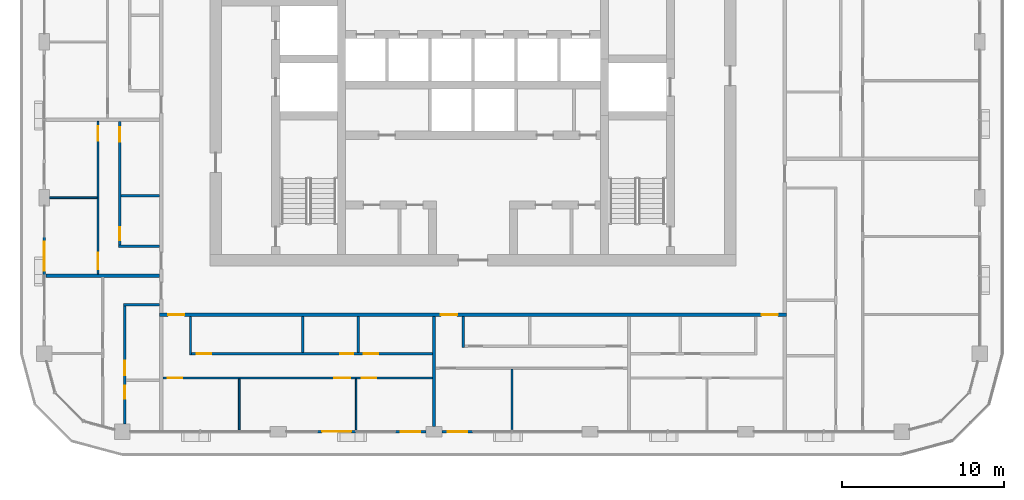
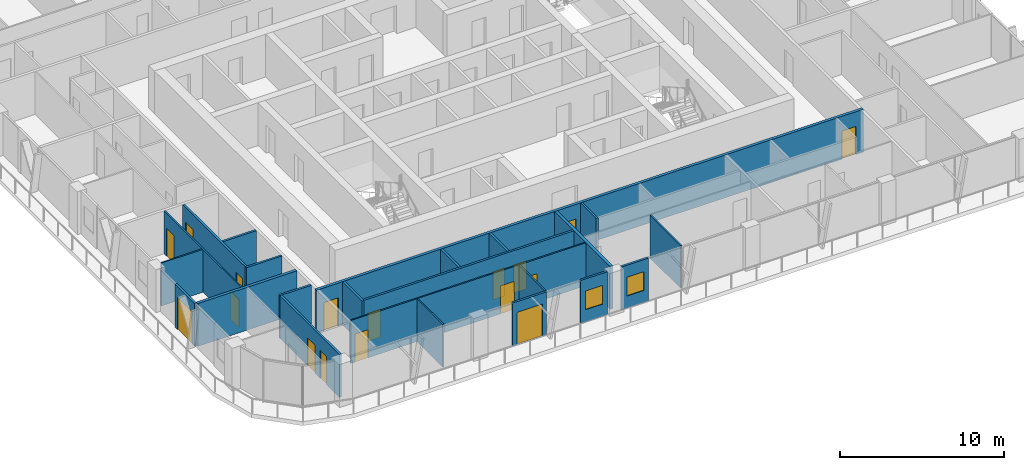
# One storey, part 9 of 23: 23 walls, 17 doors, 2 windows, 19 openings.
"""IFC4 building model written with IfcOpenShell, lengths in metres."""

import ifcopenshell
import ifcopenshell.guid

model = None  # the IFC model being written
_history = None  # IfcOwnerHistory: only IFC2X3 demands one
_inside = {}  # id of a spatial element -> (the spatial element, [elements in it])
_under = {}  # id of a project, library or spatial element -> (it, [spatial elements below it])
_declared = {}  # id of a project -> (the project, [libraries it declares])
_typed = {}  # id of a type object -> (the type object, [elements of that type])
_made_of = {}  # id of a material, layer set ... -> (it, [elements and type objects made of it])


def new_model(schema):
    """Start an empty IFC model of exactly this schema.

    Asked for "IFC4X3", IfcOpenShell would pick the latest addendum, in which some entities
    have other attributes; the version numbers below select the first issue.
    IFC2X3 requires an IfcOwnerHistory on every rooted entity: one is made here for all.
    """
    global model, _history
    if schema == "IFC4X3":
        model = ifcopenshell.file(schema_version=(4, 3, 0, 0))
    else:
        model = ifcopenshell.file(schema=schema)
    _inside.clear()
    _under.clear()
    _declared.clear()
    _typed.clear()
    _made_of.clear()
    _history = None
    if model.schema == "IFC2X3":
        org = make("IfcOrganization", Name="unknown")
        user = make(
            "IfcPersonAndOrganization",
            ThePerson=make("IfcPerson", FamilyName="unknown"),
            TheOrganization=org,
        )
        app = make(
            "IfcApplication",
            ApplicationDeveloper=org,
            Version="unknown",
            ApplicationFullName="unknown",
            ApplicationIdentifier="unknown",
        )
        _history = make(
            "IfcOwnerHistory",
            OwningUser=user,
            OwningApplication=app,
            ChangeAction="ADDED",
            CreationDate=0,
        )
    return model


def make(cls, **values):
    """One entity of the class cls with the attributes given. An attribute that is None is left unset."""
    return model.create_entity(
        cls, **{name: value for name, value in values.items() if value is not None}
    )


def rooted(cls, **values):
    """An entity with a GlobalId (a new one), such as an element, a storey or a relation."""
    return make(cls, GlobalId=ifcopenshell.guid.new(), OwnerHistory=_history, **values)


def si_unit(unit_type, name, prefix=None):
    """IfcSIUnit, for example si_unit("LENGTHUNIT", "METRE", prefix="MILLI")."""
    return make("IfcSIUnit", UnitType=unit_type, Prefix=prefix, Name=name)


def assignment(units):
    """IfcUnitAssignment: the units of a project."""
    return None if units is None else make("IfcUnitAssignment", Units=units)


def point(xyz):
    """IfcCartesianPoint."""
    return None if xyz is None else make("IfcCartesianPoint", Coordinates=xyz)


def direction(xyz):
    """IfcDirection."""
    return None if xyz is None else make("IfcDirection", DirectionRatios=xyz)


def frame(location, z_axis=None, x_axis=None):
    """IfcAxis2Placement3D, a coordinate frame: its origin and axes. An axis left out is left unset."""
    return make(
        "IfcAxis2Placement3D",
        Location=point(location),
        Axis=direction(z_axis),
        RefDirection=direction(x_axis),
    )


def frame_2d(location, x_axis=None):
    """IfcAxis2Placement2D, a coordinate frame in the plane: its origin and x axis."""
    return make(
        "IfcAxis2Placement2D", Location=point(location), RefDirection=direction(x_axis)
    )


def origin():
    """The frame at (0, 0, 0) with its axes left unset."""
    return frame((0.0, 0.0, 0.0))


def place(relative_to, where):
    """IfcLocalPlacement: puts the frame where relative to a parent placement (None: the world)."""
    return make(
        "IfcLocalPlacement", PlacementRelTo=relative_to, RelativePlacement=where
    )


def context(
    kind, dimensions, precision=None, world=None, true_north=None, identifier=None
):
    """IfcGeometricRepresentationContext, for example the 3D "Model" context."""
    return make(
        "IfcGeometricRepresentationContext",
        ContextIdentifier=identifier,
        ContextType=kind,
        CoordinateSpaceDimension=dimensions,
        Precision=precision,
        WorldCoordinateSystem=world,
        TrueNorth=true_north,
    )


def subcontext(parent, identifier, kind, view, scale=None):
    """IfcGeometricRepresentationSubContext, for example "Body" below "Model"."""
    return make(
        "IfcGeometricRepresentationSubContext",
        ContextIdentifier=identifier,
        ContextType=kind,
        ParentContext=parent,
        TargetScale=scale,
        TargetView=view,
    )


def project(units=None, contexts=None):
    """IfcProject with its units and contexts."""
    return rooted(
        "IfcProject",
        Name="project",
        RepresentationContexts=contexts,
        UnitsInContext=assignment(units),
    )


def spatial(cls, under=None, at=None, **own):
    """A site, building, storey or space (cls), placed at a placement, below another one or the project."""
    s = rooted(cls, ObjectPlacement=at, **own)
    if under is not None:
        _under.setdefault(under.id(), (under, []))[1].append(s)
    return s


def profile(cls, at=None, kind="AREA", **sizes):
    """A parametric profile (cls). Its sizes go by their IFC names, for example OverallWidth=200.0."""
    return make(cls, ProfileType=kind, Position=at, **sizes)


def rectangle(**sizes):
    """IfcRectangleProfileDef."""
    return profile("IfcRectangleProfileDef", **sizes)


def extrude(swept, where, along, depth):
    """IfcExtrudedAreaSolid: the profile swept, set in the frame where, extruded along a direction by depth."""
    return make(
        "IfcExtrudedAreaSolid",
        SweptArea=swept,
        Position=where,
        ExtrudedDirection=direction(along),
        Depth=depth,
    )


def shape(context_of_items, identifier, shape_type, items):
    """IfcShapeRepresentation: the items that make up one representation, for example the "Body"."""
    return make(
        "IfcShapeRepresentation",
        ContextOfItems=context_of_items,
        RepresentationIdentifier=identifier,
        RepresentationType=shape_type,
        Items=items,
    )


def material(Name=None, Category=None):
    """IfcMaterial."""
    return make("IfcMaterial", Name=Name, Category=Category)


def layer(
    of_material, thickness, ventilated=None, Name=None, Category=None, Priority=None
):
    """IfcMaterialLayer: one layer of a wall or slab, of a material (None: an air gap)."""
    return make(
        "IfcMaterialLayer",
        Material=of_material,
        LayerThickness=thickness,
        IsVentilated=ventilated,
        Name=Name,
        Category=Category,
        Priority=Priority,
    )


def layer_set(layers, Name=None):
    """IfcMaterialLayerSet."""
    return make("IfcMaterialLayerSet", MaterialLayers=layers, LayerSetName=Name)


def made_of(thing, what):
    """Note that an element or type object is made of a material, layer set ...; save() writes the relation."""
    if what is not None:
        _made_of.setdefault(what.id(), (what, []))[1].append(thing)
    return thing


def type_object(cls, material=None, **own):
    """A type object (cls), such as IfcWallType, which elements share."""
    return made_of(rooted(cls, **own), material)


def element(
    cls,
    number,
    at=None,
    inside=None,
    cuts=None,
    type_object=None,
    material=None,
    context=None,
    identifier="Body",
    shape_type=None,
    held_by="IfcProductDefinitionShape",
    body=None,
    shapes=None,
    **own,
):
    """One element of the class cls, such as IfcWall. Its Tag is "e" and its number.

    at: its placement. inside: the storey or other place that contains it. cuts: it is an
    opening in that element (IfcRelVoidsElement). A single representation is given by context,
    identifier, shape_type and body (its items); several are given by shapes. held_by: the class
    of the entity that holds the representations. save() writes the other relations.
    """
    e = rooted(cls, Tag="e%d" % number, ObjectPlacement=at, **own)
    if body is not None:
        shapes = [shape(context, identifier, shape_type, body)]
    if shapes is not None:
        e.Representation = make(held_by, Representations=shapes)
    if inside is not None:
        _inside.setdefault(inside.id(), (inside, []))[1].append(e)
    if cuts is not None:
        rooted(
            "IfcRelVoidsElement", RelatingBuildingElement=cuts, RelatedOpeningElement=e
        )
    if type_object is not None:
        _typed.setdefault(type_object.id(), (type_object, []))[1].append(e)
    return made_of(e, material)


def fill(opening, filler):
    """IfcRelFillsElement: the door or window that sits in an opening."""
    return rooted(
        "IfcRelFillsElement",
        RelatingOpeningElement=opening,
        RelatedBuildingElement=filler,
    )


def aggregate(whole, parts):
    """IfcRelAggregates: a whole, such as a stair, and the parts it consists of."""
    return rooted("IfcRelAggregates", RelatingObject=whole, RelatedObjects=parts)


def save(model, path):
    """Write the relations noted so far, then the file.

    IfcRelAggregates (storeys below a building ...), IfcRelContainedInSpatialStructure (elements
    in a storey), IfcRelDefinesByType, IfcRelAssociatesMaterial and IfcRelDeclares: one each for
    every whole, place, type object, material and project.
    """
    for whole, parts in _under.values():
        aggregate(whole, parts)
    for where, things in _inside.values():
        rooted(
            "IfcRelContainedInSpatialStructure",
            RelatedElements=things,
            RelatingStructure=where,
        )
    for kind, things in _typed.values():
        rooted("IfcRelDefinesByType", RelatedObjects=things, RelatingType=kind)
    for what, things in _made_of.values():
        rooted("IfcRelAssociatesMaterial", RelatedObjects=things, RelatingMaterial=what)
    for by, libraries in _declared.values():
        rooted("IfcRelDeclares", RelatingContext=by, RelatedDefinitions=libraries)
    model.write(path)


model = new_model("IFC4")

# Units and contexts
model_context = context("Model", 3, precision=1e-05, world=origin(), true_north=direction((0.0, 1.0)))
body_context = subcontext(model_context, "Body", "Model", "MODEL_VIEW")
ifc_project = project(units=[si_unit("LENGTHUNIT", "METRE"), si_unit("AREAUNIT", "SQUARE_METRE"), si_unit("VOLUMEUNIT", "CUBIC_METRE"), si_unit("PLANEANGLEUNIT", "RADIAN"), si_unit("MASSUNIT", "GRAM", prefix="KILO")], contexts=[model_context])

# Site, building, storey
site_placement = place(None, origin())
site = spatial("IfcSite", under=ifc_project, at=site_placement, CompositionType="ELEMENT")
building_placement = place(site_placement, origin())
building = spatial("IfcBuilding", under=site, at=building_placement, Name="Madar Terraces", CompositionType="ELEMENT")
storey_placement = place(building_placement, frame((0.0, 0.0, 215.800048828125)))
storey = spatial("IfcBuildingStorey", under=building, at=storey_placement, Name="L56", CompositionType="ELEMENT", Elevation=215.800048828125)

# Wall, opening, door
ifc_material_1 = material(Name="Aluminium composite panel, black, over insulated backing", Category="aluminium")
ifc_layer_1 = layer(ifc_material_1, 0.14990234375)
ifc_layer_set_1 = layer_set([ifc_layer_1], Name="Facade bay panel 150")
wall_type_1 = type_object("IfcWallType", Name="Facade bay panel 150", PredefinedType="SOLIDWALL", material=ifc_layer_set_1)
wall_1_placement = place(storey_placement, frame((21.60009765625, 4.800048828125, 0.0), z_axis=(0.0, 0.0, 1.0), x_axis=(1.0, 0.0, 0.0)))
wall_1 = element("IfcWall", 1, at=wall_1_placement, inside=storey, type_object=wall_type_1, Name="Facade bay panel", PredefinedType="SOLIDWALL", context=body_context, shape_type="SweptSolid", body=[
    extrude(rectangle(XDim=2.39990234375, YDim=0.14990234375, at=frame_2d((1.199951171875, 0.0))), origin(), (0.0, 0.0, 1.0), 3.199951171875),
])
opening_1_placement = place(wall_1_placement, frame((0.300048828125, 0.0, 0.0)))
opening_1 = element("IfcOpeningElement", 2, at=opening_1_placement, cuts=wall_1, Name="Opening ED1", PredefinedType="OPENING", context=body_context, shape_type="SweptSolid", body=[
    extrude(rectangle(XDim=1.800048828125, YDim=2.39990234375, at=frame_2d((0.89990234375, 1.199951171875))), frame((0.0, 0.0849609375, 0.0), z_axis=(0.0, -1.0, 0.0), x_axis=(1.0, 0.0, 0.0)), (0.0, 0.0, 1.0), 0.169921875),
])
ifc_material_2 = material(Name="Glass, clear, with black aluminium frame", Category="aluminium")
door_type_1 = type_object("IfcDoorType", Name="Balcony and terrace sliding door 1800 x 2400", OperationType="SLIDING_TO_LEFT", PredefinedType="DOOR", material=ifc_material_2)
door_1_placement = place(opening_1_placement, origin())
door_1 = element("IfcDoor", 3, at=door_1_placement, inside=storey, type_object=door_type_1, Name="Balcony door", OperationType="SLIDING_TO_LEFT", OverallHeight=2.39990234375, OverallWidth=1.800048828125, PredefinedType="DOOR", context=body_context, shape_type="SweptSolid", body=[
    extrude(rectangle(XDim=1.800048828125, YDim=2.39990234375, at=frame_2d((0.89990234375, 1.199951171875))), frame((0.0, 0.02490234375, 0.0), z_axis=(0.0, -1.0, 0.0), x_axis=(1.0, 0.0, 0.0)), (0.0, 0.0, 1.0), 0.050048828125),
])
fill(opening_1, door_1)

# Wall, opening, window
wall_2_placement = place(storey_placement, frame((26.39990234375, 4.800048828125, 0.0), z_axis=(0.0, 0.0, 1.0), x_axis=(1.0, 0.0, 0.0)))
wall_2 = element("IfcWall", 4, at=wall_2_placement, inside=storey, type_object=wall_type_1, Name="Facade bay panel", PredefinedType="SOLIDWALL", context=body_context, shape_type="SweptSolid", body=[
    extrude(rectangle(XDim=1.900146484375, YDim=0.14990234375, at=frame_2d((0.9501953125, 0.0))), origin(), (0.0, 0.0, 1.0), 3.199951171875),
])
opening_2_placement = place(wall_2_placement, frame((0.35009765625, 0.0, 0.89990234375)))
opening_2 = element("IfcOpeningElement", 5, at=opening_2_placement, cuts=wall_2, Name="Opening W1", PredefinedType="OPENING", context=body_context, shape_type="SweptSolid", body=[
    extrude(rectangle(XDim=1.199951171875, YDim=1.39990234375, at=frame_2d((0.60009765625, 0.699951171875))), frame((0.0, 0.0849609375, 0.0), z_axis=(0.0, -1.0, 0.0), x_axis=(1.0, 0.0, 0.0)), (0.0, 0.0, 1.0), 0.169921875),
])
ifc_material_3 = material(Name="Glass, clear, with black aluminium frame", Category="aluminium")
window_type = type_object("IfcWindowType", Name="Vent window 1200 x 1400", PartitioningType="SINGLE_PANEL", PredefinedType="WINDOW", material=ifc_material_3)
window_1_placement = place(opening_2_placement, origin())
window_1 = element("IfcWindow", 6, at=window_1_placement, inside=storey, type_object=window_type, Name="Operable vent window", OverallHeight=1.39990234375, OverallWidth=1.199951171875, PartitioningType="SINGLE_PANEL", PredefinedType="WINDOW", context=body_context, shape_type="SweptSolid", body=[
    extrude(rectangle(XDim=1.199951171875, YDim=1.39990234375, at=frame_2d((0.60009765625, 0.699951171875))), frame((0.0, 0.030029296875, 0.0), z_axis=(0.0, -1.0, 0.0), x_axis=(1.0, 0.0, 0.0)), (0.0, 0.0, 1.0), 0.06005859375),
])
fill(opening_2, window_1)

wall_3_placement = place(storey_placement, frame((29.300048828125, 4.800048828125, 0.0), z_axis=(0.0, 0.0, 1.0), x_axis=(1.0, 0.0, 0.0)))
wall_3 = element("IfcWall", 7, at=wall_3_placement, inside=storey, type_object=wall_type_1, Name="Facade bay panel", PredefinedType="SOLIDWALL", context=body_context, shape_type="SweptSolid", body=[
    extrude(rectangle(XDim=1.89990234375, YDim=0.14990234375, at=frame_2d((0.949951171875, 0.0))), origin(), (0.0, 0.0, 1.0), 3.199951171875),
])
opening_3_placement = place(wall_3_placement, frame((0.35009765625, 0.0, 0.89990234375)))
opening_3 = element("IfcOpeningElement", 8, at=opening_3_placement, cuts=wall_3, Name="Opening W1", PredefinedType="OPENING", context=body_context, shape_type="SweptSolid", body=[
    extrude(rectangle(XDim=1.199951171875, YDim=1.39990234375, at=frame_2d((0.60009765625, 0.699951171875))), frame((0.0, 0.0849609375, 0.0), z_axis=(0.0, -1.0, 0.0), x_axis=(1.0, 0.0, 0.0)), (0.0, 0.0, 1.0), 0.169921875),
])
window_2_placement = place(opening_3_placement, origin())
window_2 = element("IfcWindow", 9, at=window_2_placement, inside=storey, type_object=window_type, Name="Operable vent window", OverallHeight=1.39990234375, OverallWidth=1.199951171875, PartitioningType="SINGLE_PANEL", PredefinedType="WINDOW", context=body_context, shape_type="SweptSolid", body=[
    extrude(rectangle(XDim=1.199951171875, YDim=1.39990234375, at=frame_2d((0.60009765625, 0.699951171875))), frame((0.0, 0.030029296875, 0.0), z_axis=(0.0, -1.0, 0.0), x_axis=(1.0, 0.0, 0.0)), (0.0, 0.0, 1.0), 0.06005859375),
])
fill(opening_3, window_2)

# Wall, opening, door
wall_4_placement = place(storey_placement, frame((4.800048828125, 16.800048828125, 0.0), z_axis=(0.0, 0.0, 1.0), x_axis=(0.0, -1.0, 0.0)))
wall_4 = element("IfcWall", 10, at=wall_4_placement, inside=storey, type_object=wall_type_1, Name="Facade bay panel", PredefinedType="SOLIDWALL", context=body_context, shape_type="SweptSolid", body=[
    extrude(rectangle(XDim=2.400146484375, YDim=0.14990234375, at=frame_2d((1.2001953125, 0.0))), origin(), (0.0, 0.0, 1.0), 3.199951171875),
])
opening_4_placement = place(wall_4_placement, frame((0.300048828125, 0.0, 0.0)))
opening_4 = element("IfcOpeningElement", 11, at=opening_4_placement, cuts=wall_4, Name="Opening ED1", PredefinedType="OPENING", context=body_context, shape_type="SweptSolid", body=[
    extrude(rectangle(XDim=1.800048828125, YDim=2.39990234375, at=frame_2d((0.89990234375, 1.199951171875))), frame((0.0, 0.0849609375, 0.0), z_axis=(0.0, -1.0, 0.0), x_axis=(1.0, 0.0, 0.0)), (0.0, 0.0, 1.0), 0.169921875),
])
door_2_placement = place(opening_4_placement, origin())
door_2 = element("IfcDoor", 12, at=door_2_placement, inside=storey, type_object=door_type_1, Name="Balcony door", OperationType="SLIDING_TO_RIGHT", OverallHeight=2.39990234375, OverallWidth=1.800048828125, PredefinedType="DOOR", context=body_context, shape_type="SweptSolid", body=[
    extrude(rectangle(XDim=1.800048828125, YDim=2.39990234375, at=frame_2d((0.89990234375, 1.199951171875))), frame((0.0, 0.02490234375, 0.0), z_axis=(0.0, -1.0, 0.0), x_axis=(1.0, 0.0, 0.0)), (0.0, 0.0, 1.0), 0.050048828125),
])
fill(opening_4, door_2)

# Walls
ifc_material_4 = material(Name="Gypsum board on steel studs", Category="steel")
ifc_layer_2 = layer(ifc_material_4, 0.10009765625)
ifc_layer_set_2 = layer_set([ifc_layer_2], Name="Flat partition 100")
wall_type_2 = type_object("IfcWallType", Name="Flat partition 100", PredefinedType="PARTITIONING", material=ifc_layer_set_2)
for number, where, z_axis, x_axis, name in (
    (13, (16.800048828125, 8.050048828125, 0.0), (0.0, 0.0, 1.0), (0.0, -1.0, 0.0), "Flat partition 100"),
    (14, (24.0, 8.050048828125, 0.0), (0.0, 0.0, 1.0), (0.0, -1.0, 0.0), "Flat partition 100"),
):
    element("IfcWall", number, at=place(storey_placement, frame(where, z_axis=z_axis, x_axis=x_axis)), inside=storey, type_object=wall_type_2, Name=name, PredefinedType="PARTITIONING", context=body_context, shape_type="SweptSolid", body=[
        extrude(rectangle(XDim=3.150146484375, YDim=0.10009765625, at=frame_2d((1.5751953125, 0.0))), origin(), (0.0, 0.0, 1.0), 3.199951171875),
    ])

# Wall, openings, doors
wall_5_placement = place(storey_placement, frame((28.699951171875, 8.10009765625, 0.0), z_axis=(0.0, 0.0, 1.0), x_axis=(-1.0, 0.0, 0.0)))
wall_5 = element("IfcWall", 15, at=wall_5_placement, inside=storey, type_object=wall_type_2, Name="Flat partition 100", PredefinedType="PARTITIONING", context=body_context, shape_type="SweptSolid", body=[
    extrude(rectangle(XDim=16.599853515625, YDim=0.10009765625, at=frame_2d((8.2998046875, 0.0))), origin(), (0.0, 0.0, 1.0), 3.199951171875),
])
opening_5_placement = place(wall_5_placement, frame((15.39990234375, 0.0, 0.0)))
opening_5 = element("IfcOpeningElement", 16, at=opening_5_placement, cuts=wall_5, Name="Opening D2", PredefinedType="OPENING", context=body_context, shape_type="SweptSolid", body=[
    extrude(rectangle(XDim=0.89990234375, YDim=2.10009765625, at=frame_2d((0.449951171875, 1.050048828125))), frame((0.0, 0.06005859375, 0.0), z_axis=(0.0, -1.0, 0.0), x_axis=(1.0, 0.0, 0.0)), (0.0, 0.0, 1.0), 0.1201171875),
])
opening_6_placement = place(wall_5_placement, frame((5.050048828125, 0.0, 0.0)))
opening_6 = element("IfcOpeningElement", 17, at=opening_6_placement, cuts=wall_5, Name="Opening D3", PredefinedType="OPENING", context=body_context, shape_type="SweptSolid", body=[
    extrude(rectangle(XDim=1.0, YDim=2.10009765625, at=frame_2d((0.5, 1.050048828125))), frame((0.0, 0.06005859375, 0.0), z_axis=(0.0, -1.0, 0.0), x_axis=(1.0, 0.0, 0.0)), (0.0, 0.0, 1.0), 0.1201171875),
])
opening_7_placement = place(wall_5_placement, frame((3.449951171875, 0.0, 0.0)))
opening_7 = element("IfcOpeningElement", 18, at=opening_7_placement, cuts=wall_5, Name="Opening D2", PredefinedType="OPENING", context=body_context, shape_type="SweptSolid", body=[
    extrude(rectangle(XDim=0.89990234375, YDim=2.10009765625, at=frame_2d((0.449951171875, 1.050048828125))), frame((0.0, 0.06005859375, 0.0), z_axis=(0.0, -1.0, 0.0), x_axis=(1.0, 0.0, 0.0)), (0.0, 0.0, 1.0), 0.1201171875),
])
ifc_material_5 = material(Name="Timber door leaf", Category="wood")
door_type_2 = type_object("IfcDoorType", Name="Flat living room door 1000", OperationType="NOTDEFINED", PredefinedType="DOOR", material=ifc_material_5)
door_3_placement = place(opening_6_placement, origin())
door_3 = element("IfcDoor", 19, at=door_3_placement, inside=storey, type_object=door_type_2, Name="Flat living room door 1000", OperationType="SINGLE_SWING_LEFT", OverallHeight=2.10009765625, OverallWidth=1.0, PredefinedType="DOOR", context=body_context, shape_type="SweptSolid", body=[
    extrude(rectangle(XDim=1.0, YDim=2.10009765625, at=frame_2d((0.5, 1.050048828125))), frame((0.0, 0.02490234375, 0.0), z_axis=(0.0, -1.0, 0.0), x_axis=(1.0, 0.0, 0.0)), (0.0, 0.0, 1.0), 0.050048828125),
])
fill(opening_6, door_3)
ifc_material_6 = material(Name="Timber door leaf", Category="wood")
door_type_3 = type_object("IfcDoorType", Name="Flat room door 900", OperationType="NOTDEFINED", PredefinedType="DOOR", material=ifc_material_6)
door_4_placement = place(opening_5_placement, origin())
door_4 = element("IfcDoor", 20, at=door_4_placement, inside=storey, type_object=door_type_3, Name="Flat room door 900", OperationType="SINGLE_SWING_RIGHT", OverallHeight=2.10009765625, OverallWidth=0.89990234375, PredefinedType="DOOR", context=body_context, shape_type="SweptSolid", body=[
    extrude(rectangle(XDim=0.89990234375, YDim=2.10009765625, at=frame_2d((0.449951171875, 1.050048828125))), frame((0.0, 0.02490234375, 0.0), z_axis=(0.0, -1.0, 0.0), x_axis=(1.0, 0.0, 0.0)), (0.0, 0.0, 1.0), 0.050048828125),
])
fill(opening_5, door_4)
door_5_placement = place(opening_7_placement, origin())
door_5 = element("IfcDoor", 21, at=door_5_placement, inside=storey, type_object=door_type_3, Name="Flat room door 900", OperationType="SINGLE_SWING_RIGHT", OverallHeight=2.10009765625, OverallWidth=0.89990234375, PredefinedType="DOOR", context=body_context, shape_type="SweptSolid", body=[
    extrude(rectangle(XDim=0.89990234375, YDim=2.10009765625, at=frame_2d((0.449951171875, 1.050048828125))), frame((0.0, 0.02490234375, 0.0), z_axis=(0.0, -1.0, 0.0), x_axis=(1.0, 0.0, 0.0)), (0.0, 0.0, 1.0), 0.050048828125),
])
fill(opening_7, door_5)

# Walls
wall_6_placement = place(storey_placement, frame((33.60009765625, 8.64990234375, 0.0), z_axis=(0.0, 0.0, 1.0), x_axis=(0.0, -1.0, 0.0)))
element("IfcWall", 22, at=wall_6_placement, inside=storey, type_object=wall_type_2, Name="Flat partition 100", PredefinedType="PARTITIONING", context=body_context, shape_type="SweptSolid", body=[
    extrude(rectangle(XDim=3.75, YDim=0.10009765625, at=frame_2d((1.875, 0.0))), origin(), (0.0, 0.0, 1.0), 3.199951171875),
])
wall_7_placement = place(storey_placement, frame((8.050048828125, 19.199951171875, 0.0), z_axis=(0.0, 0.0, 1.0), x_axis=(-1.0, 0.0, 0.0)))
element("IfcWall", 23, at=wall_7_placement, inside=storey, type_object=wall_type_2, Name="Flat partition 100", PredefinedType="PARTITIONING", context=body_context, shape_type="SweptSolid", body=[
    extrude(rectangle(XDim=2.925048828125, YDim=0.10009765625, at=frame_2d((1.46240234375, 0.0))), origin(), (0.0, 0.0, 1.0), 3.199951171875),
])

# Wall, openings, doors
wall_8_placement = place(storey_placement, frame((8.10009765625, 14.5, 0.0), z_axis=(0.0, 0.0, 1.0), x_axis=(0.0, 1.0, 0.0)))
wall_8 = element("IfcWall", 24, at=wall_8_placement, inside=storey, type_object=wall_type_2, Name="Flat partition 100", PredefinedType="PARTITIONING", context=body_context, shape_type="SweptSolid", body=[
    extrude(rectangle(XDim=9.39990234375, YDim=0.10009765625, at=frame_2d((4.699951171875, 0.0))), origin(), (0.0, 0.0, 1.0), 3.199951171875),
])
opening_8_placement = place(wall_8_placement, frame((0.300048828125, 0.0, 0.0)))
opening_8 = element("IfcOpeningElement", 25, at=opening_8_placement, cuts=wall_8, Name="Opening D3", PredefinedType="OPENING", context=body_context, shape_type="SweptSolid", body=[
    extrude(rectangle(XDim=1.0, YDim=2.10009765625, at=frame_2d((0.5, 1.050048828125))), frame((0.0, 0.06005859375, 0.0), z_axis=(0.0, -1.0, 0.0), x_axis=(1.0, 0.0, 0.0)), (0.0, 0.0, 1.0), 0.1201171875),
])
opening_9_placement = place(wall_8_placement, frame((8.199951171875, 0.0, 0.0)))
opening_9 = element("IfcOpeningElement", 26, at=opening_9_placement, cuts=wall_8, Name="Opening D2", PredefinedType="OPENING", context=body_context, shape_type="SweptSolid", body=[
    extrude(rectangle(XDim=0.89990234375, YDim=2.10009765625, at=frame_2d((0.449951171875, 1.050048828125))), frame((0.0, 0.06005859375, 0.0), z_axis=(0.0, -1.0, 0.0), x_axis=(1.0, 0.0, 0.0)), (0.0, 0.0, 1.0), 0.1201171875),
])
door_6_placement = place(opening_8_placement, origin())
door_6 = element("IfcDoor", 27, at=door_6_placement, inside=storey, type_object=door_type_2, Name="Flat living room door 1000", OperationType="SINGLE_SWING_LEFT", OverallHeight=2.10009765625, OverallWidth=1.0, PredefinedType="DOOR", context=body_context, shape_type="SweptSolid", body=[
    extrude(rectangle(XDim=1.0, YDim=2.10009765625, at=frame_2d((0.5, 1.050048828125))), frame((0.0, 0.02490234375, 0.0), z_axis=(0.0, -1.0, 0.0), x_axis=(1.0, 0.0, 0.0)), (0.0, 0.0, 1.0), 0.050048828125),
])
fill(opening_8, door_6)
door_7_placement = place(opening_9_placement, origin())
door_7 = element("IfcDoor", 28, at=door_7_placement, inside=storey, type_object=door_type_3, Name="Flat room door 900", OperationType="SINGLE_SWING_RIGHT", OverallHeight=2.10009765625, OverallWidth=0.89990234375, PredefinedType="DOOR", context=body_context, shape_type="SweptSolid", body=[
    extrude(rectangle(XDim=0.89990234375, YDim=2.10009765625, at=frame_2d((0.449951171875, 1.050048828125))), frame((0.0, 0.02490234375, 0.0), z_axis=(0.0, -1.0, 0.0), x_axis=(1.0, 0.0, 0.0)), (0.0, 0.0, 1.0), 0.050048828125),
])
fill(opening_9, door_7)

ifc_material_7 = material(Name="Lightweight blockwork", Category="masonry")
ifc_layer_3 = layer(ifc_material_7, 0.199951171875)
ifc_layer_set_3 = layer_set([ifc_layer_3], Name="Flat party and entrance wall 200")
wall_type_3 = type_object("IfcWallType", Name="Flat party and entrance wall 200", PredefinedType="PARTITIONING", material=ifc_layer_set_3)
wall_9_placement = place(storey_placement, frame((50.5, 12.0, 0.0), z_axis=(0.0, 0.0, 1.0), x_axis=(-1.0, 0.0, 0.0)))
wall_9 = element("IfcWall", 29, at=wall_9_placement, inside=storey, type_object=wall_type_3, Name="Flat party and entrance wall 200", PredefinedType="PARTITIONING", context=body_context, shape_type="SweptSolid", body=[
    extrude(rectangle(XDim=38.60009765625, YDim=0.199951171875, at=frame_2d((19.300048828125, 0.0))), origin(), (0.0, 0.0, 1.0), 3.199951171875),
])
opening_10_placement = place(wall_9_placement, frame((37.074951171875, 0.0, 0.0)))
opening_10 = element("IfcOpeningElement", 30, at=opening_10_placement, cuts=wall_9, Name="Opening D1", PredefinedType="OPENING", context=body_context, shape_type="SweptSolid", body=[
    extrude(rectangle(XDim=1.0, YDim=2.10009765625, at=frame_2d((0.5, 1.050048828125))), frame((0.0, 0.10986328125, 0.0), z_axis=(0.0, -1.0, 0.0), x_axis=(1.0, 0.0, 0.0)), (0.0, 0.0, 1.0), 0.219970703125),
])
opening_11_placement = place(wall_9_placement, frame((20.27490234375, 0.0, 0.0)))
opening_11 = element("IfcOpeningElement", 31, at=opening_11_placement, cuts=wall_9, Name="Opening D1", PredefinedType="OPENING", context=body_context, shape_type="SweptSolid", body=[
    extrude(rectangle(XDim=1.0, YDim=2.10009765625, at=frame_2d((0.5, 1.050048828125))), frame((0.0, 0.10986328125, 0.0), z_axis=(0.0, -1.0, 0.0), x_axis=(1.0, 0.0, 0.0)), (0.0, 0.0, 1.0), 0.219970703125),
])
opening_12_placement = place(wall_9_placement, frame((0.52490234375, 0.0, 0.0)))
opening_12 = element("IfcOpeningElement", 32, at=opening_12_placement, cuts=wall_9, Name="Opening D1", PredefinedType="OPENING", context=body_context, shape_type="SweptSolid", body=[
    extrude(rectangle(XDim=1.0, YDim=2.10009765625, at=frame_2d((0.5, 1.050048828125))), frame((0.0, 0.10986328125, 0.0), z_axis=(0.0, -1.0, 0.0), x_axis=(1.0, 0.0, 0.0)), (0.0, 0.0, 1.0), 0.219970703125),
])
ifc_material_8 = material(Name="Timber fire door leaf", Category="wood")
door_type_4 = type_object("IfcDoorType", Name="Flat entrance door 1000 FD30S", OperationType="NOTDEFINED", PredefinedType="DOOR", material=ifc_material_8)
door_8_placement = place(opening_10_placement, origin())
door_8 = element("IfcDoor", 33, at=door_8_placement, inside=storey, type_object=door_type_4, Name="Flat entrance door 1000 FD30S", OperationType="SINGLE_SWING_RIGHT", OverallHeight=2.10009765625, OverallWidth=1.0, PredefinedType="DOOR", context=body_context, shape_type="SweptSolid", body=[
    extrude(rectangle(XDim=1.0, YDim=2.10009765625, at=frame_2d((0.5, 1.050048828125))), frame((0.0, 0.02490234375, 0.0), z_axis=(0.0, -1.0, 0.0), x_axis=(1.0, 0.0, 0.0)), (0.0, 0.0, 1.0), 0.050048828125),
])
fill(opening_10, door_8)
door_9_placement = place(opening_11_placement, origin())
door_9 = element("IfcDoor", 34, at=door_9_placement, inside=storey, type_object=door_type_4, Name="Flat entrance door 1000 FD30S", OperationType="SINGLE_SWING_RIGHT", OverallHeight=2.10009765625, OverallWidth=1.0, PredefinedType="DOOR", context=body_context, shape_type="SweptSolid", body=[
    extrude(rectangle(XDim=1.0, YDim=2.10009765625, at=frame_2d((0.5, 1.050048828125))), frame((0.0, 0.02490234375, 0.0), z_axis=(0.0, -1.0, 0.0), x_axis=(1.0, 0.0, 0.0)), (0.0, 0.0, 1.0), 0.050048828125),
])
fill(opening_11, door_9)
door_10_placement = place(opening_12_placement, origin())
door_10 = element("IfcDoor", 35, at=door_10_placement, inside=storey, type_object=door_type_4, Name="Flat entrance door 1000 FD30S", OperationType="SINGLE_SWING_LEFT", OverallHeight=2.10009765625, OverallWidth=1.0, PredefinedType="DOOR", context=body_context, shape_type="SweptSolid", body=[
    extrude(rectangle(XDim=1.0, YDim=2.10009765625, at=frame_2d((0.5, 1.050048828125))), frame((0.0, 0.02490234375, 0.0), z_axis=(0.0, -1.0, 0.0), x_axis=(1.0, 0.0, 0.0)), (0.0, 0.0, 1.0), 0.050048828125),
])
fill(opening_12, door_10)

# Walls
wall_10_placement = place(storey_placement, frame((28.800048828125, 11.89990234375, 0.0), z_axis=(0.0, 0.0, 1.0), x_axis=(0.0, -1.0, 0.0)))
element("IfcWall", 36, at=wall_10_placement, inside=storey, type_object=wall_type_3, Name="Flat party and entrance wall 200", PredefinedType="PARTITIONING", context=body_context, shape_type="SweptSolid", body=[
    extrude(rectangle(XDim=6.77490234375, YDim=0.199951171875, at=frame_2d((3.387451171875, 0.0))), origin(), (0.0, 0.0, 1.0), 3.199951171875),
])
wall_11_placement = place(storey_placement, frame((4.89990234375, 14.39990234375, 0.0), z_axis=(0.0, 0.0, 1.0), x_axis=(1.0, 0.0, 0.0)))
element("IfcWall", 37, at=wall_11_placement, inside=storey, type_object=wall_type_3, Name="Flat party and entrance wall 200", PredefinedType="PARTITIONING", context=body_context, shape_type="SweptSolid", body=[
    extrude(rectangle(XDim=7.0, YDim=0.199951171875, at=frame_2d((3.5, 0.0))), origin(), (0.0, 0.0, 1.0), 3.199951171875),
])
ifc_material_9 = material(Name="Lightweight blockwork", Category="masonry")
ifc_layer_4 = layer(ifc_material_9, 0.14990234375)
ifc_layer_set_4 = layer_set([ifc_layer_4], Name="Flat wet-room partition 150")
wall_type_4 = type_object("IfcWallType", Name="Flat wet-room partition 150", PredefinedType="PARTITIONING", material=ifc_layer_set_4)
for number, where, z_axis, x_axis, name in (
    (38, (20.71728515625, 11.89990234375, 0.0), (0.0, 0.0, 1.0), (0.0, -1.0, 0.0), "Flat wet-room partition 150"),
    (39, (24.138427734375, 11.89990234375, 0.0), (0.0, 0.0, 1.0), (0.0, -1.0, 0.0), "Flat wet-room partition 150"),
):
    element("IfcWall", number, at=place(storey_placement, frame(where, z_axis=z_axis, x_axis=x_axis)), inside=storey, type_object=wall_type_4, Name=name, PredefinedType="PARTITIONING", context=body_context, shape_type="SweptSolid", body=[
        extrude(rectangle(XDim=2.224853515625, YDim=0.14990234375, at=frame_2d((1.1123046875, 0.0))), origin(), (0.0, 0.0, 1.0), 3.199951171875),
    ])
wall_12_placement = place(storey_placement, frame((13.800048828125, 11.89990234375, 0.0), z_axis=(0.0, 0.0, 1.0), x_axis=(0.0, -1.0, 0.0)))
element("IfcWall", 40, at=wall_12_placement, inside=storey, type_object=wall_type_4, Name="Flat wet-room partition 150", PredefinedType="PARTITIONING", context=body_context, shape_type="SweptSolid", body=[
    extrude(rectangle(XDim=2.375, YDim=0.14990234375, at=frame_2d((1.1875, 0.0))), origin(), (0.0, 0.0, 1.0), 3.199951171875),
])

# Wall, openings, doors
wall_13_placement = place(storey_placement, frame((13.875, 9.60009765625, 0.0), z_axis=(0.0, 0.0, 1.0), x_axis=(1.0, 0.0, 0.0)))
wall_13 = element("IfcWall", 41, at=wall_13_placement, inside=storey, type_object=wall_type_4, Name="Flat wet-room partition 150", PredefinedType="PARTITIONING", context=body_context, shape_type="SweptSolid", body=[
    extrude(rectangle(XDim=14.824951171875, YDim=0.14990234375, at=frame_2d((7.41259765625, 0.0))), origin(), (0.0, 0.0, 1.0), 3.199951171875),
])
opening_13_placement = place(wall_13_placement, frame((0.300048828125, 0.0, 0.0)))
opening_13 = element("IfcOpeningElement", 42, at=opening_13_placement, cuts=wall_13, Name="Opening D2", PredefinedType="OPENING", context=body_context, shape_type="SweptSolid", body=[
    extrude(rectangle(XDim=0.89990234375, YDim=2.10009765625, at=frame_2d((0.449951171875, 1.050048828125))), frame((0.0, 0.0849609375, 0.0), z_axis=(0.0, -1.0, 0.0), x_axis=(1.0, 0.0, 0.0)), (0.0, 0.0, 1.0), 0.169921875),
])
opening_14_placement = place(wall_13_placement, frame((9.138427734375, 0.0, 0.0)))
opening_14 = element("IfcOpeningElement", 43, at=opening_14_placement, cuts=wall_13, Name="Opening D4", PredefinedType="OPENING", context=body_context, shape_type="SweptSolid", body=[
    extrude(rectangle(XDim=0.800048828125, YDim=2.10009765625, at=frame_2d((0.39990234375, 1.050048828125))), frame((0.0, 0.0849609375, 0.0), z_axis=(0.0, -1.0, 0.0), x_axis=(1.0, 0.0, 0.0)), (0.0, 0.0, 1.0), 0.169921875),
])
opening_15_placement = place(wall_13_placement, frame((10.58837890625, 0.0, 0.0)))
opening_15 = element("IfcOpeningElement", 44, at=opening_15_placement, cuts=wall_13, Name="Opening D5", PredefinedType="OPENING", context=body_context, shape_type="SweptSolid", body=[
    extrude(rectangle(XDim=0.89990234375, YDim=2.10009765625, at=frame_2d((0.449951171875, 1.050048828125))), frame((0.0, 0.0849609375, 0.0), z_axis=(0.0, -1.0, 0.0), x_axis=(1.0, 0.0, 0.0)), (0.0, 0.0, 1.0), 0.169921875),
])
ifc_material_10 = material(Name="Timber door leaf", Category="wood")
door_type_5 = type_object("IfcDoorType", Name="Flat accessible bathroom door 900", OperationType="NOTDEFINED", PredefinedType="DOOR", material=ifc_material_10)
door_11_placement = place(opening_15_placement, origin())
door_11 = element("IfcDoor", 45, at=door_11_placement, inside=storey, type_object=door_type_5, Name="Flat accessible bathroom door 900", OperationType="SINGLE_SWING_LEFT", OverallHeight=2.10009765625, OverallWidth=0.89990234375, PredefinedType="DOOR", context=body_context, shape_type="SweptSolid", body=[
    extrude(rectangle(XDim=0.89990234375, YDim=2.10009765625, at=frame_2d((0.449951171875, 1.050048828125))), frame((0.0, 0.02490234375, 0.0), z_axis=(0.0, -1.0, 0.0), x_axis=(1.0, 0.0, 0.0)), (0.0, 0.0, 1.0), 0.050048828125),
])
fill(opening_15, door_11)
ifc_material_11 = material(Name="Timber door leaf", Category="wood")
door_type_6 = type_object("IfcDoorType", Name="Flat bathroom door 800", OperationType="NOTDEFINED", PredefinedType="DOOR", material=ifc_material_11)
door_12_placement = place(opening_14_placement, origin())
door_12 = element("IfcDoor", 46, at=door_12_placement, inside=storey, type_object=door_type_6, Name="Flat bathroom door 800", OperationType="SINGLE_SWING_RIGHT", OverallHeight=2.10009765625, OverallWidth=0.800048828125, PredefinedType="DOOR", context=body_context, shape_type="SweptSolid", body=[
    extrude(rectangle(XDim=0.800048828125, YDim=2.10009765625, at=frame_2d((0.39990234375, 1.050048828125))), frame((0.0, 0.02490234375, 0.0), z_axis=(0.0, -1.0, 0.0), x_axis=(1.0, 0.0, 0.0)), (0.0, 0.0, 1.0), 0.050048828125),
])
fill(opening_14, door_12)
door_13_placement = place(opening_13_placement, origin())
door_13 = element("IfcDoor", 47, at=door_13_placement, inside=storey, type_object=door_type_3, Name="Flat room door 900", OperationType="SINGLE_SWING_LEFT", OverallHeight=2.10009765625, OverallWidth=0.89990234375, PredefinedType="DOOR", context=body_context, shape_type="SweptSolid", body=[
    extrude(rectangle(XDim=0.89990234375, YDim=2.10009765625, at=frame_2d((0.449951171875, 1.050048828125))), frame((0.0, 0.02490234375, 0.0), z_axis=(0.0, -1.0, 0.0), x_axis=(1.0, 0.0, 0.0)), (0.0, 0.0, 1.0), 0.050048828125),
])
fill(opening_13, door_13)

# Walls
wall_14_placement = place(storey_placement, frame((30.60009765625, 11.89990234375, 0.0), z_axis=(0.0, 0.0, 1.0), x_axis=(0.0, -1.0, 0.0)))
element("IfcWall", 48, at=wall_14_placement, inside=storey, type_object=wall_type_4, Name="Flat wet-room partition 150", PredefinedType="PARTITIONING", context=body_context, shape_type="SweptSolid", body=[
    extrude(rectangle(XDim=1.9248046875, YDim=0.14990234375, at=frame_2d((0.96240234375, 0.0))), origin(), (0.0, 0.0, 1.0), 3.199951171875),
])
wall_15_placement = place(storey_placement, frame((11.89990234375, 19.324951171875, 0.0), z_axis=(0.0, 0.0, 1.0), x_axis=(-1.0, 0.0, 0.0)))
element("IfcWall", 49, at=wall_15_placement, inside=storey, type_object=wall_type_4, Name="Flat wet-room partition 150", PredefinedType="PARTITIONING", context=body_context, shape_type="SweptSolid", body=[
    extrude(rectangle(XDim=2.375, YDim=0.14990234375, at=frame_2d((1.1875, 0.0))), origin(), (0.0, 0.0, 1.0), 3.199951171875),
])
wall_16_placement = place(storey_placement, frame((11.89990234375, 16.199951171875, 0.0), z_axis=(0.0, 0.0, 1.0), x_axis=(-1.0, 0.0, 0.0)))
element("IfcWall", 50, at=wall_16_placement, inside=storey, type_object=wall_type_4, Name="Flat wet-room partition 150", PredefinedType="PARTITIONING", context=body_context, shape_type="SweptSolid", body=[
    extrude(rectangle(XDim=2.52490234375, YDim=0.14990234375, at=frame_2d((1.262451171875, 0.0))), origin(), (0.0, 0.0, 1.0), 3.199951171875),
])

# Wall, openings, doors
wall_17_placement = place(storey_placement, frame((9.449951171875, 23.89990234375, 0.0), z_axis=(0.0, 0.0, 1.0), x_axis=(0.0, -1.0, 0.0)))
wall_17 = element("IfcWall", 51, at=wall_17_placement, inside=storey, type_object=wall_type_4, Name="Flat wet-room partition 150", PredefinedType="PARTITIONING", context=body_context, shape_type="SweptSolid", body=[
    extrude(rectangle(XDim=7.625, YDim=0.14990234375, at=frame_2d((3.8125, 0.0))), origin(), (0.0, 0.0, 1.0), 3.199951171875),
])
opening_16_placement = place(wall_17_placement, frame((6.52490234375, 0.0, 0.0)))
opening_16 = element("IfcOpeningElement", 52, at=opening_16_placement, cuts=wall_17, Name="Opening D4", PredefinedType="OPENING", context=body_context, shape_type="SweptSolid", body=[
    extrude(rectangle(XDim=0.800048828125, YDim=2.10009765625, at=frame_2d((0.39990234375, 1.050048828125))), frame((0.0, 0.0849609375, 0.0), z_axis=(0.0, -1.0, 0.0), x_axis=(1.0, 0.0, 0.0)), (0.0, 0.0, 1.0), 0.169921875),
])
opening_17_placement = place(wall_17_placement, frame((0.35009765625, 0.0, 0.0)))
opening_17 = element("IfcOpeningElement", 53, at=opening_17_placement, cuts=wall_17, Name="Opening D2", PredefinedType="OPENING", context=body_context, shape_type="SweptSolid", body=[
    extrude(rectangle(XDim=0.89990234375, YDim=2.10009765625, at=frame_2d((0.449951171875, 1.050048828125))), frame((0.0, 0.0849609375, 0.0), z_axis=(0.0, -1.0, 0.0), x_axis=(1.0, 0.0, 0.0)), (0.0, 0.0, 1.0), 0.169921875),
])
door_14_placement = place(opening_16_placement, origin())
door_14 = element("IfcDoor", 54, at=door_14_placement, inside=storey, type_object=door_type_6, Name="Flat bathroom door 800", OperationType="SINGLE_SWING_RIGHT", OverallHeight=2.10009765625, OverallWidth=0.800048828125, PredefinedType="DOOR", context=body_context, shape_type="SweptSolid", body=[
    extrude(rectangle(XDim=0.800048828125, YDim=2.10009765625, at=frame_2d((0.39990234375, 1.050048828125))), frame((0.0, 0.02490234375, 0.0), z_axis=(0.0, -1.0, 0.0), x_axis=(1.0, 0.0, 0.0)), (0.0, 0.0, 1.0), 0.050048828125),
])
fill(opening_16, door_14)
door_15_placement = place(opening_17_placement, origin())
door_15 = element("IfcDoor", 55, at=door_15_placement, inside=storey, type_object=door_type_3, Name="Flat room door 900", OperationType="SINGLE_SWING_LEFT", OverallHeight=2.10009765625, OverallWidth=0.89990234375, PredefinedType="DOOR", context=body_context, shape_type="SweptSolid", body=[
    extrude(rectangle(XDim=0.89990234375, YDim=2.10009765625, at=frame_2d((0.449951171875, 1.050048828125))), frame((0.0, 0.02490234375, 0.0), z_axis=(0.0, -1.0, 0.0), x_axis=(1.0, 0.0, 0.0)), (0.0, 0.0, 1.0), 0.050048828125),
])
fill(opening_17, door_15)

# Wall
wall_18_placement = place(storey_placement, frame((11.89990234375, 12.60009765625, 0.0), z_axis=(0.0, 0.0, 1.0), x_axis=(-1.0, 0.0, 0.0)))
element("IfcWall", 56, at=wall_18_placement, inside=storey, type_object=wall_type_4, Name="Flat wet-room partition 150", PredefinedType="PARTITIONING", context=body_context, shape_type="SweptSolid", body=[
    extrude(rectangle(XDim=2.224853515625, YDim=0.14990234375, at=frame_2d((1.1123046875, 0.0))), origin(), (0.0, 0.0, 1.0), 3.199951171875),
])

# Wall, openings, doors
wall_19_placement = place(storey_placement, frame((9.75, 12.52490234375, 0.0), z_axis=(0.0, 0.0, 1.0), x_axis=(0.0, -1.0, 0.0)))
wall_19 = element("IfcWall", 57, at=wall_19_placement, inside=storey, type_object=wall_type_4, Name="Flat wet-room partition 150", PredefinedType="PARTITIONING", context=body_context, shape_type="SweptSolid", body=[
    extrude(rectangle(XDim=7.25, YDim=0.14990234375, at=frame_2d((3.625, 0.0))), origin(), (0.0, 0.0, 1.0), 3.199951171875),
])
opening_18_placement = place(wall_19_placement, frame((3.35009765625, 0.0, 0.0)))
opening_18 = element("IfcOpeningElement", 58, at=opening_18_placement, cuts=wall_19, Name="Opening D2", PredefinedType="OPENING", context=body_context, shape_type="SweptSolid", body=[
    extrude(rectangle(XDim=0.89990234375, YDim=2.10009765625, at=frame_2d((0.449951171875, 1.050048828125))), frame((0.0, 0.0849609375, 0.0), z_axis=(0.0, -1.0, 0.0), x_axis=(1.0, 0.0, 0.0)), (0.0, 0.0, 1.0), 0.169921875),
])
opening_19_placement = place(wall_19_placement, frame((4.89990234375, 0.0, 0.0)))
opening_19 = element("IfcOpeningElement", 59, at=opening_19_placement, cuts=wall_19, Name="Opening D4", PredefinedType="OPENING", context=body_context, shape_type="SweptSolid", body=[
    extrude(rectangle(XDim=0.800048828125, YDim=2.10009765625, at=frame_2d((0.39990234375, 1.050048828125))), frame((0.0, 0.0849609375, 0.0), z_axis=(0.0, -1.0, 0.0), x_axis=(1.0, 0.0, 0.0)), (0.0, 0.0, 1.0), 0.169921875),
])
door_16_placement = place(opening_19_placement, origin())
door_16 = element("IfcDoor", 60, at=door_16_placement, inside=storey, type_object=door_type_6, Name="Flat bathroom door 800", OperationType="SINGLE_SWING_LEFT", OverallHeight=2.10009765625, OverallWidth=0.800048828125, PredefinedType="DOOR", context=body_context, shape_type="SweptSolid", body=[
    extrude(rectangle(XDim=0.800048828125, YDim=2.10009765625, at=frame_2d((0.39990234375, 1.050048828125))), frame((0.0, 0.02490234375, 0.0), z_axis=(0.0, -1.0, 0.0), x_axis=(1.0, 0.0, 0.0)), (0.0, 0.0, 1.0), 0.050048828125),
])
fill(opening_19, door_16)
door_17_placement = place(opening_18_placement, origin())
door_17 = element("IfcDoor", 61, at=door_17_placement, inside=storey, type_object=door_type_3, Name="Flat room door 900", OperationType="SINGLE_SWING_RIGHT", OverallHeight=2.10009765625, OverallWidth=0.89990234375, PredefinedType="DOOR", context=body_context, shape_type="SweptSolid", body=[
    extrude(rectangle(XDim=0.89990234375, YDim=2.10009765625, at=frame_2d((0.449951171875, 1.050048828125))), frame((0.0, 0.02490234375, 0.0), z_axis=(0.0, -1.0, 0.0), x_axis=(1.0, 0.0, 0.0)), (0.0, 0.0, 1.0), 0.050048828125),
])
fill(opening_18, door_17)

save(model, "model.ifc")
